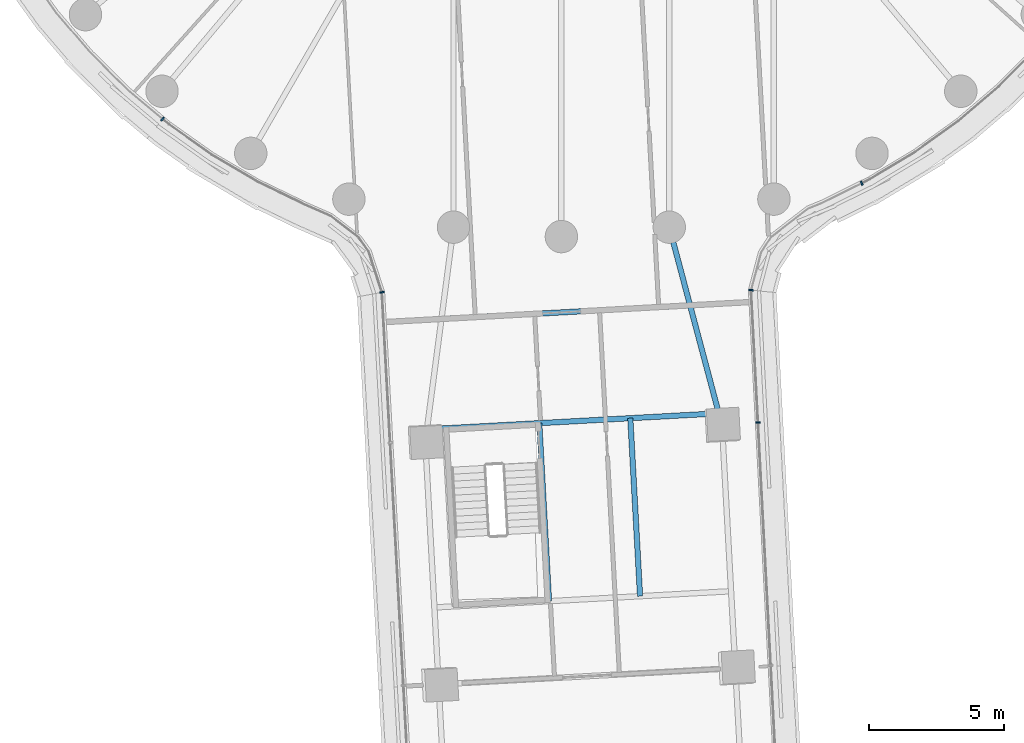
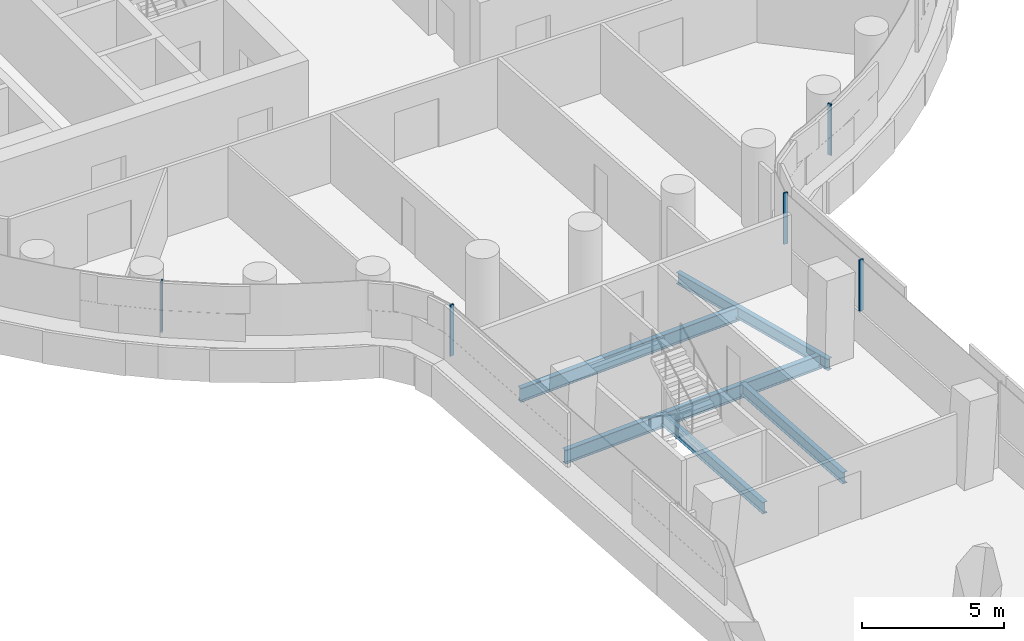
# One storey, part 3 of 31: 5 beams, 5 members, 4 elements without a shape of their own.
"""IFC4 building model written with IfcOpenShell, lengths in metres."""

from ifc_helpers import new_model, si_unit, direction, frame, origin, origin_2d, place, context, subcontext, project, spatial, rectangle, i_section, extrude, material, layer, layer_set, material_profile, profile_set, type_object, element, aggregate, save


model = new_model("IFC4")

# Units and contexts
model_context = context("Model", 3, precision=1e-05, world=origin(), true_north=direction((0.0, 1.0)))
body_context = subcontext(model_context, "Body", "Model", "MODEL_VIEW")
ifc_project = project(units=[si_unit("LENGTHUNIT", "METRE"), si_unit("AREAUNIT", "SQUARE_METRE"), si_unit("VOLUMEUNIT", "CUBIC_METRE"), si_unit("PLANEANGLEUNIT", "RADIAN"), si_unit("MASSUNIT", "GRAM", prefix="KILO")], contexts=[model_context])

# Site, building, storey
site_placement = place(None, origin())
site = spatial("IfcSite", under=ifc_project, at=site_placement, CompositionType="ELEMENT")
building_placement = place(site_placement, origin())
building = spatial("IfcBuilding", under=site, at=building_placement, Name="Tamarind Cross Interchange Tower", CompositionType="ELEMENT")
storey_placement = place(building_placement, frame((0.0, 0.0, 45.25)))
storey = spatial("IfcBuildingStorey", under=building, at=storey_placement, Name="L09", CompositionType="ELEMENT", Elevation=45.25)

# Beams
ifc_material_1 = material(Name="Steel Q355B", Category="steel")
ifc_material_profile_1 = material_profile(ifc_material_1, i_section(OverallWidth=0.198974609375, OverallDepth=0.49609375, WebThickness=0.009033203125, FlangeThickness=0.013916015625, FilletRadius=0.012939453125, at=origin_2d()), Name="HN 496x199x9x14")
ifc_profile_set_1 = profile_set([ifc_material_profile_1], Name="Steel Q355B")
beam_type_1 = type_object("IfcBeamType", Name="Composite beam HN 496x199x9x14 Q355B", PredefinedType="BEAM", material=ifc_profile_set_1)
beam_1_placement = place(storey_placement, frame((5.945556640625, -29.98681640625, -0.387939453125), z_axis=(-0.25709012378, 0.966387431755, 0.0), x_axis=(-0.966387431755, -0.25709012378, 0.0)))
element("IfcBeam", 1, at=beam_1_placement, inside=storey, type_object=beam_type_1, Name="Beam S-linkep", PredefinedType="BEAM", context=body_context, shape_type="SweptSolid", body=[
    extrude(i_section(OverallWidth=0.198974609375, OverallDepth=0.49609375, WebThickness=0.009033203125, FlangeThickness=0.013916015625, FilletRadius=0.012939453125, at=origin_2d()), origin(), (0.0, 0.0, 1.0), 7.59130859375),
])
beam_2_placement = place(storey_placement, frame((-0.81884765625, -29.906494140625, -0.387939453125), z_axis=(0.054671020774, -0.998504421366, 0.0), x_axis=(0.998504421366, 0.054671020774, 0.0)))
element("IfcBeam", 2, at=beam_2_placement, inside=storey, type_object=beam_type_1, Name="Beam S-tr1", PredefinedType="BEAM", context=body_context, shape_type="SweptSolid", body=[
    extrude(i_section(OverallWidth=0.198974609375, OverallDepth=0.49609375, WebThickness=0.009033203125, FlangeThickness=0.013916015625, FilletRadius=0.012939453125, at=origin_2d()), origin(), (0.0, 0.0, 1.0), 6.60009765625),
])
beam_3_placement = place(storey_placement, frame((2.551025390625, -29.72216796875, -0.387939453125), z_axis=(0.054673040098, -0.9985043108, 0.0), x_axis=(0.9985043108, 0.054673040098, 0.0)))
element("IfcBeam", 3, at=beam_3_placement, inside=storey, type_object=beam_type_1, Name="Beam S-stripp", PredefinedType="BEAM", context=body_context, shape_type="SweptSolid", body=[
    extrude(i_section(OverallWidth=0.198974609375, OverallDepth=0.49609375, WebThickness=0.009033203125, FlangeThickness=0.013916015625, FilletRadius=0.012939453125, at=origin_2d()), origin(), (0.0, 0.0, 1.0), 6.599853515625),
])
ifc_material_profile_2 = material_profile(ifc_material_1, i_section(OverallWidth=0.199951171875, OverallDepth=0.60009765625, WebThickness=0.010986328125, FlangeThickness=0.01708984375, FilletRadius=0.012939453125, at=origin_2d()), Name="HN 600x200x11x17")
ifc_profile_set_2 = profile_set([ifc_material_profile_2], Name="Steel Q355B")
beam_type_2 = type_object("IfcBeamType", Name="Composite beam HN 600x200x11x17 Q355B", PredefinedType="BEAM", material=ifc_profile_set_2)
beam_4_placement = place(storey_placement, frame((-4.978271484375, -30.13427734375, -0.43994140625), z_axis=(0.998504869254, 0.054662839996, 0.0), x_axis=(-0.054662839996, 0.998504869254, 0.0)))
element("IfcBeam", 4, at=beam_4_placement, inside=storey, type_object=beam_type_2, Name="Beam S-x298", PredefinedType="BEAM", context=body_context, shape_type="SweptSolid", body=[
    extrude(i_section(OverallWidth=0.199951171875, OverallDepth=0.60009765625, WebThickness=0.010986328125, FlangeThickness=0.01708984375, FilletRadius=0.012939453125, at=origin_2d()), origin(), (0.0, 0.0, 1.0), 10.82177734375),
])
beam_5_placement = place(storey_placement, frame((-4.44091796875, -26.048828125, -0.43994140625), z_axis=(0.998504925721, 0.054661808522, 0.0), x_axis=(-0.054661808522, 0.998504925721, 0.0)))
element("IfcBeam", 5, at=beam_5_placement, inside=storey, type_object=beam_type_2, Name="Beam S-x258", PredefinedType="BEAM", context=body_context, shape_type="SweptSolid", body=[
    extrude(i_section(OverallWidth=0.199951171875, OverallDepth=0.60009765625, WebThickness=0.010986328125, FlangeThickness=0.01708984375, FilletRadius=0.012939453125, at=origin_2d()), origin(), (0.0, 0.0, 1.0), 9.218505859375),
])

# Curtain wall, member
ifc_material_2 = material(Name="Aluminium 6063-T6", Category="aluminium")
ifc_layer = layer(ifc_material_2, 0.159912109375)
ifc_layer_set = layer_set([ifc_layer], Name="Aluminium 6063-T6")
curtain_wall_type = type_object("IfcCurtainWallType", Name="Office curtain wall, 9.0 m bays", PredefinedType="NOTDEFINED", material=ifc_layer_set)
curtain_wall_1_placement = place(storey_placement, origin())
curtain_wall_1 = element("IfcCurtainWall", 6, at=curtain_wall_1_placement, inside=storey, type_object=curtain_wall_type, Name="CWS-L09-02", PredefinedType="NOTDEFINED")
ifc_material_profile_3 = material_profile(ifc_material_2, rectangle(XDim=0.06005859375, YDim=0.159912109375, at=origin_2d()), Name="Mullion CW1")
ifc_profile_set_3 = profile_set([ifc_material_profile_3], Name="Aluminium 6063-T6")
member_type = type_object("IfcMemberType", Name="Mullion CW1", PredefinedType="MULLION", material=ifc_profile_set_3)
member_1_placement = place(storey_placement, frame((-14.763916015625, -18.648681640625, 1.39990234375), z_axis=(0.0, 0.0, 1.0), x_axis=(0.765858396687, -0.643009266048, 0.0)))
member_1 = element("IfcMember", 7, at=member_1_placement, type_object=member_type, Name="CWM-L09-02-02", PredefinedType="MULLION", context=body_context, shape_type="SweptSolid", body=[
    extrude(rectangle(XDim=0.06005859375, YDim=0.159912109375, at=origin_2d()), origin(), (0.0, 0.0, 1.0), 2.210205078125),
])
aggregate(curtain_wall_1, [member_1])

curtain_wall_2_placement = place(storey_placement, origin())
curtain_wall_2 = element("IfcCurtainWall", 8, at=curtain_wall_2_placement, inside=storey, type_object=curtain_wall_type, Name="CWS-L09-03", PredefinedType="NOTDEFINED")
member_2_placement = place(storey_placement, frame((-6.642578125, -25.0615234375, 1.39990234375), z_axis=(0.0, 0.0, 1.0), x_axis=(0.183566262262, -0.983007338406, 0.0)))
member_2 = element("IfcMember", 9, at=member_2_placement, type_object=member_type, Name="CWM-L09-03-00", PredefinedType="MULLION", context=body_context, shape_type="SweptSolid", body=[
    extrude(rectangle(XDim=0.06005859375, YDim=0.159912109375, at=origin_2d()), origin(), (0.0, 0.0, 1.0), 2.210205078125),
])
aggregate(curtain_wall_2, [member_2])

curtain_wall_3_placement = place(storey_placement, origin())
curtain_wall_3 = element("IfcCurtainWall", 10, at=curtain_wall_3_placement, inside=storey, type_object=curtain_wall_type, Name="CWS-L09-05", PredefinedType="NOTDEFINED")
member_3_placement = place(storey_placement, frame((7.279541015625, -29.88330078125, 1.39990234375), z_axis=(0.0, 0.0, 1.0), x_axis=(-0.052477900426, 0.998622085659, 0.0)))
member_3 = element("IfcMember", 11, at=member_3_placement, type_object=member_type, Name="CWM-L09-05-02", PredefinedType="MULLION", context=body_context, shape_type="SweptSolid", body=[
    extrude(rectangle(XDim=0.06005859375, YDim=0.159912109375, at=origin_2d()), origin(), (0.0, 0.0, 1.0), 2.210205078125),
])
aggregate(curtain_wall_3, [member_3])

# Curtain wall, members
curtain_wall_4_placement = place(storey_placement, origin())
curtain_wall_4 = element("IfcCurtainWall", 12, at=curtain_wall_4_placement, inside=storey, type_object=curtain_wall_type, Name="CWS-L09-06", PredefinedType="NOTDEFINED")
member_4_placement = place(storey_placement, frame((7.02197265625, -24.98046875, 1.39990234375), z_axis=(0.0, 0.0, 1.0), x_axis=(0.102897644272, 0.994691949703, 0.0)))
member_4 = element("IfcMember", 13, at=member_4_placement, type_object=member_type, Name="CWM-L09-06-00", PredefinedType="MULLION", context=body_context, shape_type="SweptSolid", body=[
    extrude(rectangle(XDim=0.06005859375, YDim=0.159912109375, at=origin_2d()), origin(), (0.0, 0.0, 1.0), 2.210205078125),
])
member_5_placement = place(storey_placement, frame((11.118896484375, -21.025390625, 1.39990234375), z_axis=(0.0, 0.0, 1.0), x_axis=(0.896492548518, 0.443058811505, 0.0)))
member_5 = element("IfcMember", 14, at=member_5_placement, type_object=member_type, Name="CWM-L09-06-01", PredefinedType="MULLION", context=body_context, shape_type="SweptSolid", body=[
    extrude(rectangle(XDim=0.06005859375, YDim=0.159912109375, at=origin_2d()), origin(), (0.0, 0.0, 1.0), 2.210205078125),
])
aggregate(curtain_wall_4, [member_4, member_5])

save(model, "model.ifc")
